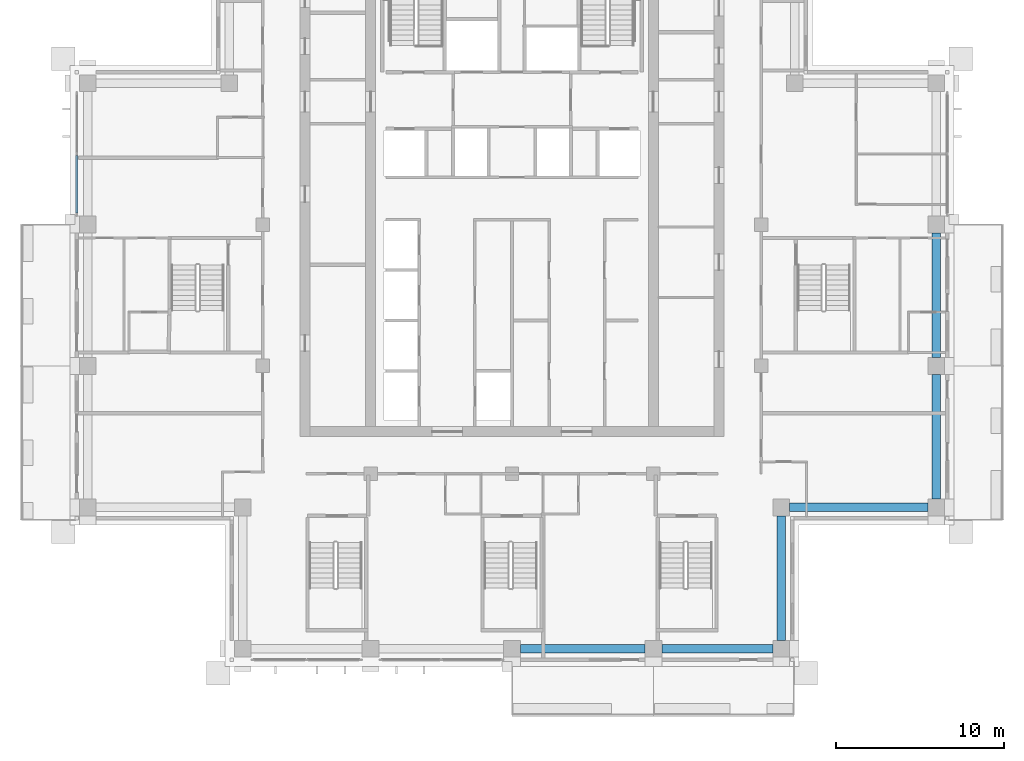
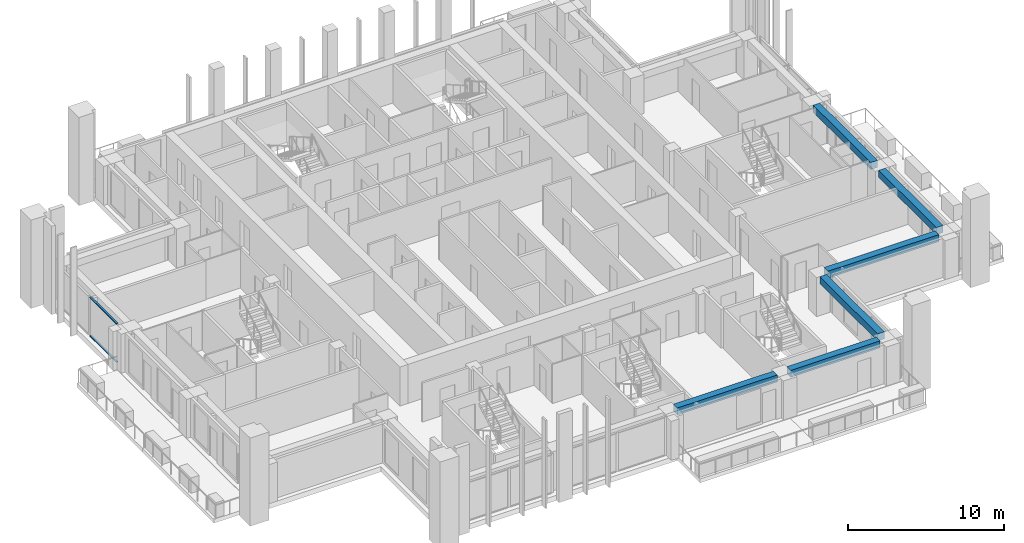
# One storey, part 3 of 18: 6 beams, 2 members, 1 element without a shape of its own.
"""IFC4 building model written with IfcOpenShell, lengths in metres."""

from ifc_helpers import new_model, si_unit, direction, frame, origin, origin_2d, place, context, subcontext, project, spatial, rectangle, extrude, material, material_profile, profile_set, type_object, element, aggregate, save


model = new_model("IFC4")

# Units and contexts
model_context = context("Model", 3, precision=1e-05, world=origin(), true_north=direction((0.0, 1.0)))
body_context = subcontext(model_context, "Body", "Model", "MODEL_VIEW")
ifc_project = project(units=[si_unit("LENGTHUNIT", "METRE"), si_unit("AREAUNIT", "SQUARE_METRE"), si_unit("VOLUMEUNIT", "CUBIC_METRE"), si_unit("PLANEANGLEUNIT", "RADIAN"), si_unit("MASSUNIT", "GRAM", prefix="KILO")], contexts=[model_context])

# Site, building, storey
site_placement = place(None, origin())
site = spatial("IfcSite", under=ifc_project, at=site_placement, CompositionType="ELEMENT")
building_placement = place(site_placement, origin())
building = spatial("IfcBuilding", under=site, at=building_placement, Name="Vermilion Ogive Tower", CompositionType="ELEMENT")
storey_placement = place(building_placement, frame((0.0, 0.0, 199.699951171875)))
storey = spatial("IfcBuildingStorey", under=building, at=storey_placement, Name="L52", CompositionType="ELEMENT", Elevation=199.699951171875)

# Curtain wall, members
ifc_material_1 = material(Name="Low-iron laminated glazing in aluminium frame", Category="aluminium")
curtain_wall_type = type_object("IfcCurtainWallType", Name="Curtain wall CW7", PredefinedType="NOTDEFINED", material=ifc_material_1)
curtain_wall_placement = place(storey_placement, origin())
curtain_wall = element("IfcCurtainWall", 1, at=curtain_wall_placement, inside=storey, type_object=curtain_wall_type, Name="Glazed skin W1", PredefinedType="NOTDEFINED")
ifc_material_2 = material(Name="Aluminium transom", Category="aluminium")
ifc_material_profile_1 = material_profile(ifc_material_2, rectangle(XDim=0.139892578125, YDim=0.06005859375, at=origin_2d()), Name="AL 60x140")
ifc_profile_set_1 = profile_set([ifc_material_profile_1], Name="Aluminium transom")
member_type = type_object("IfcMemberType", Name="CW7 transom 60x140", PredefinedType="USERDEFINED", material=ifc_profile_set_1)
member_1_placement = place(storey_placement, frame((-25.85009765625, 8.31005859375, 0.030029296875), z_axis=(0.0, -1.0, 0.0), x_axis=(1.0, 0.0, 0.0)))
member_1 = element("IfcMember", 2, at=member_1_placement, type_object=member_type, Name="CW7-W1 transom 2.1", ObjectType="TRANSOM", PredefinedType="USERDEFINED", context=body_context, shape_type="SweptSolid", body=[
    extrude(rectangle(XDim=0.139892578125, YDim=0.06005859375, at=origin_2d()), origin(), (0.0, 0.0, 1.0), 3.43017578125),
])
member_2_placement = place(storey_placement, frame((-25.85009765625, 8.31005859375, 3.02001953125), z_axis=(0.0, -1.0, 0.0), x_axis=(1.0, 0.0, 0.0)))
member_2 = element("IfcMember", 3, at=member_2_placement, type_object=member_type, Name="CW7-W1 transom 2.2", ObjectType="TRANSOM", PredefinedType="USERDEFINED", context=body_context, shape_type="SweptSolid", body=[
    extrude(rectangle(XDim=0.139892578125, YDim=0.06005859375, at=origin_2d()), origin(), (0.0, 0.0, 1.0), 3.43017578125),
])
aggregate(curtain_wall, [member_1, member_2])

# Beams
ifc_material_3 = material(Name="Concrete B45", Category="concrete")
ifc_material_profile_2 = material_profile(ifc_material_3, rectangle(XDim=0.5, YDim=0.550048828125, at=origin_2d()), Name="500 x 550")
ifc_profile_set_2 = profile_set([ifc_material_profile_2], Name="Concrete B45")
beam_type = type_object("IfcBeamType", Name="Edge beam 500 x 550 B45", PredefinedType="BEAM", material=ifc_profile_set_2)
beam_1_placement = place(storey_placement, frame((0.5, -21.0, 2.775146484375), z_axis=(1.0, 0.0, 0.0), x_axis=(0.0, 1.0, 0.0)))
element("IfcBeam", 4, at=beam_1_placement, inside=storey, type_object=beam_type, Name="L52-EB-3", PredefinedType="BEAM", context=body_context, shape_type="SweptSolid", body=[
    extrude(rectangle(XDim=0.5, YDim=0.550048828125, at=origin_2d()), origin(), (0.0, 0.0, 1.0), 7.39990234375),
])
beam_2_placement = place(storey_placement, frame((8.89990234375, -21.0, 2.775146484375), z_axis=(1.0, 0.0, 0.0), x_axis=(0.0, 1.0, 0.0)))
element("IfcBeam", 5, at=beam_2_placement, inside=storey, type_object=beam_type, Name="L52-EB-4", PredefinedType="BEAM", context=body_context, shape_type="SweptSolid", body=[
    extrude(rectangle(XDim=0.5, YDim=0.550048828125, at=origin_2d()), origin(), (0.0, 0.0, 1.0), 6.60009765625),
])
beam_3_placement = place(storey_placement, frame((16.0, -20.5, 2.775146484375), z_axis=(0.0, 1.0, 0.0), x_axis=(-1.0, 0.0, 0.0)))
element("IfcBeam", 6, at=beam_3_placement, inside=storey, type_object=beam_type, Name="L52-EB-5", PredefinedType="BEAM", context=body_context, shape_type="SweptSolid", body=[
    extrude(rectangle(XDim=0.5, YDim=0.550048828125, at=origin_2d()), origin(), (0.0, 0.0, 1.0), 7.39990234375),
])
beam_4_placement = place(storey_placement, frame((16.5, -12.60009765625, 2.775146484375), z_axis=(1.0, 0.0, 0.0), x_axis=(0.0, 1.0, 0.0)))
element("IfcBeam", 7, at=beam_4_placement, inside=storey, type_object=beam_type, Name="L52-EB-6", PredefinedType="BEAM", context=body_context, shape_type="SweptSolid", body=[
    extrude(rectangle(XDim=0.5, YDim=0.550048828125, at=origin_2d()), origin(), (0.0, 0.0, 1.0), 8.199951171875),
])
beam_5_placement = place(storey_placement, frame((25.199951171875, -12.10009765625, 2.775146484375), z_axis=(0.0, 1.0, 0.0), x_axis=(-1.0, 0.0, 0.0)))
element("IfcBeam", 8, at=beam_5_placement, inside=storey, type_object=beam_type, Name="L52-EB-7", PredefinedType="BEAM", context=body_context, shape_type="SweptSolid", body=[
    extrude(rectangle(XDim=0.5, YDim=0.550048828125, at=origin_2d()), origin(), (0.0, 0.0, 1.0), 7.400146484375),
])
beam_6_placement = place(storey_placement, frame((25.199951171875, -3.699951171875, 2.775146484375), z_axis=(0.0, 1.0, 0.0), x_axis=(-1.0, 0.0, 0.0)))
element("IfcBeam", 9, at=beam_6_placement, inside=storey, type_object=beam_type, Name="L52-EB-8", PredefinedType="BEAM", context=body_context, shape_type="SweptSolid", body=[
    extrude(rectangle(XDim=0.5, YDim=0.550048828125, at=origin_2d()), origin(), (0.0, 0.0, 1.0), 7.39990234375),
])

save(model, "model.ifc")
